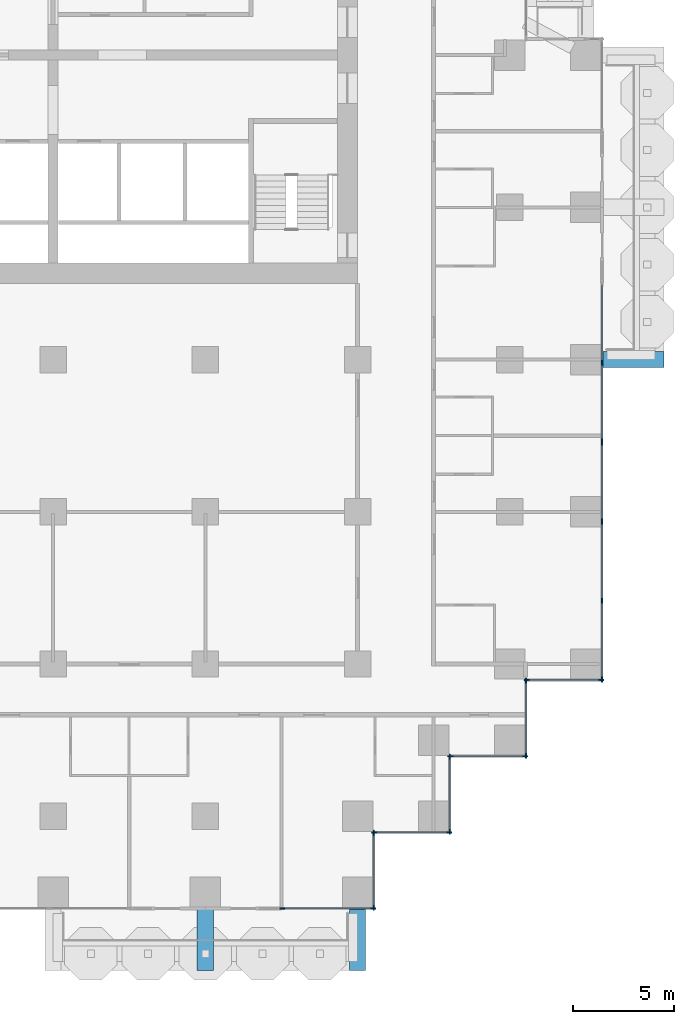
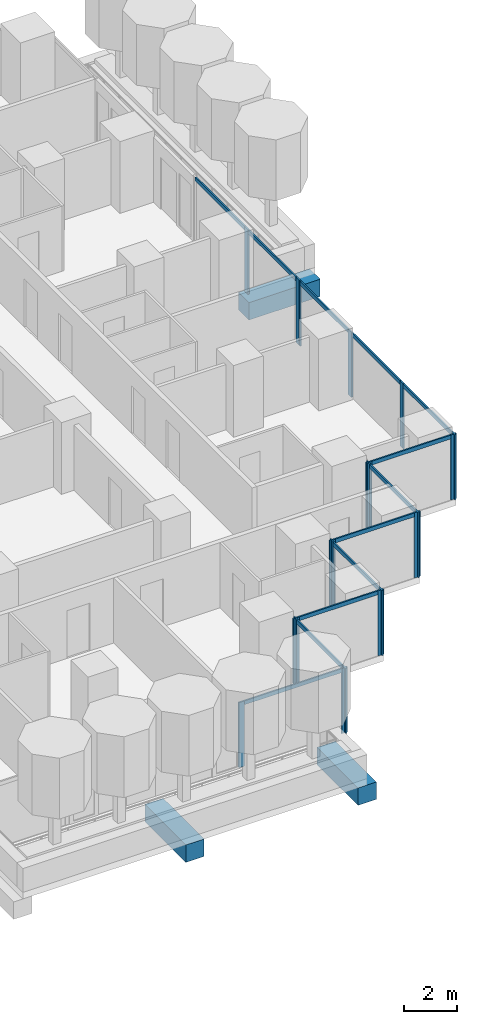
# One storey, part 4 of 19: 32 members, 3 beams, 9 elements without a shape of their own.
"""IFC4 building model written with IfcOpenShell, lengths in metres."""

from ifc_helpers import new_model, si_unit, direction, frame, origin, origin_2d, place, context, subcontext, project, spatial, rectangle, extrude, material, material_profile, profile_set, type_object, element, aggregate, save


model = new_model("IFC4")

# Units and contexts
model_context = context("Model", 3, precision=1e-05, world=origin(), true_north=direction((0.0, 1.0)))
body_context = subcontext(model_context, "Body", "Model", "MODEL_VIEW")
ifc_project = project(units=[si_unit("LENGTHUNIT", "METRE"), si_unit("AREAUNIT", "SQUARE_METRE"), si_unit("VOLUMEUNIT", "CUBIC_METRE"), si_unit("PLANEANGLEUNIT", "RADIAN"), si_unit("MASSUNIT", "GRAM", prefix="KILO")], contexts=[model_context])

# Site, building, storey
site_placement = place(None, origin())
site = spatial("IfcSite", under=ifc_project, at=site_placement, CompositionType="ELEMENT")
building_placement = place(site_placement, origin())
building = spatial("IfcBuilding", under=site, at=building_placement, Name="Pilkhan Gate Tower", CompositionType="ELEMENT")
storey_placement = place(building_placement, frame((0.0, 0.0, 79.10009765625)))
storey = spatial("IfcBuildingStorey", under=building, at=storey_placement, Name="L18", CompositionType="ELEMENT", Elevation=79.10009765625)

# Beams
ifc_material_1 = material(Name="Concrete C50/60", Category="concrete")
ifc_material_profile_1 = material_profile(ifc_material_1, rectangle(XDim=0.800048828125, YDim=0.800048828125, at=origin_2d()), Name="RC 800x800")
ifc_profile_set_1 = profile_set([ifc_material_profile_1], Name="Concrete C50/60")
beam_type = type_object("IfcBeamType", Name="Cantilever beam CB2 RC 800x800 C50/60", PredefinedType="BEAM", material=ifc_profile_set_1)
for number, where, z_axis, x_axis, name in (
    (1, (82.5, 40.5, -0.7001953125), (0.0, -1.0, 0.0), (1.0, 0.0, 0.0), "Balcony beam S.2 L18"),
    (2, (90.0, 40.5, -0.7001953125), (0.0, -1.0, 0.0), (1.0, 0.0, 0.0), "Balcony beam S.3 L18"),
    (3, (102.0, 67.5, -0.7001953125), (1.0, 0.0, 0.0), (0.0, 1.0, 0.0), "Balcony beam E.1 L18"),
):
    element("IfcBeam", number, at=place(storey_placement, frame(where, z_axis=z_axis, x_axis=x_axis)), inside=storey, type_object=beam_type, Name=name, PredefinedType="BEAM", context=body_context, shape_type="SweptSolid", body=[
        extrude(rectangle(XDim=0.800048828125, YDim=0.800048828125, at=origin_2d()), origin(), (0.0, 0.0, 1.0), 3.10009765625),
    ])

# Curtain wall, members
ifc_material_2 = material(Name="Pale anodised aluminium, clear low-iron double glazing", Category="aluminium")
curtain_wall_type = type_object("IfcCurtainWallType", Name="Hotel unitised curtain wall CW-H", PredefinedType="USERDEFINED", material=ifc_material_2)
curtain_wall_1_placement = place(storey_placement, origin())
curtain_wall_1 = element("IfcCurtainWall", 4, at=curtain_wall_1_placement, inside=storey, type_object=curtain_wall_type, Name="Hotel unitised curtain wall CW-H L18 E", ObjectType="UNITISED CURTAIN WALL", PredefinedType="USERDEFINED")
ifc_material_3 = material(Name="Pale anodised aluminium", Category="aluminium")
ifc_material_profile_2 = material_profile(ifc_material_3, rectangle(XDim=0.06494140625, YDim=0.25, at=origin_2d()), Name="Mullion 250x65")
ifc_profile_set_2 = profile_set([ifc_material_profile_2], Name="Pale anodised aluminium")
member_type_1 = type_object("IfcMemberType", Name="Mullion CW-H 250x65", PredefinedType="MULLION", material=ifc_profile_set_2)
member_1_placement = place(storey_placement, frame((102.044921875, 51.737548828125, 0.0), z_axis=(0.0, 0.0, 1.0), x_axis=(-1.0, 0.0, 0.0)))
member_1 = element("IfcMember", 5, at=member_1_placement, type_object=member_type_1, Name="CW-H mullion 1", PredefinedType="MULLION", context=body_context, shape_type="SweptSolid", body=[
    extrude(rectangle(XDim=0.06494140625, YDim=0.25, at=origin_2d()), origin(), (0.0, 0.0, 1.0), 3.0),
])
member_2_placement = place(storey_placement, frame((102.044921875, 55.614013671875, 0.0), z_axis=(0.0, 0.0, 1.0), x_axis=(-1.0, 0.0, 0.0)))
member_2 = element("IfcMember", 6, at=member_2_placement, type_object=member_type_1, Name="CW-H mullion 2", PredefinedType="MULLION", context=body_context, shape_type="SweptSolid", body=[
    extrude(rectangle(XDim=0.06494140625, YDim=0.25, at=origin_2d()), origin(), (0.0, 0.0, 1.0), 3.0),
])
member_3_placement = place(storey_placement, frame((102.044921875, 59.52294921875, 0.0), z_axis=(0.0, 0.0, 1.0), x_axis=(-1.0, 0.0, 0.0)))
member_3 = element("IfcMember", 7, at=member_3_placement, type_object=member_type_1, Name="CW-H mullion 3", PredefinedType="MULLION", context=body_context, shape_type="SweptSolid", body=[
    extrude(rectangle(XDim=0.06494140625, YDim=0.25, at=origin_2d()), origin(), (0.0, 0.0, 1.0), 3.0),
])
member_4_placement = place(storey_placement, frame((102.044921875, 63.3994140625, 0.0), z_axis=(0.0, 0.0, 1.0), x_axis=(-1.0, 0.0, 0.0)))
member_4 = element("IfcMember", 8, at=member_4_placement, type_object=member_type_1, Name="CW-H mullion 4", PredefinedType="MULLION", context=body_context, shape_type="SweptSolid", body=[
    extrude(rectangle(XDim=0.06494140625, YDim=0.25, at=origin_2d()), origin(), (0.0, 0.0, 1.0), 3.0),
])

curtain_wall_2_placement = place(storey_placement, origin())
curtain_wall_2 = element("IfcCurtainWall", 9, at=curtain_wall_2_placement, inside=storey, type_object=curtain_wall_type, Name="Hotel unitised curtain wall CW-H L18 E", ObjectType="UNITISED CURTAIN WALL", PredefinedType="USERDEFINED")
member_5_placement = place(storey_placement, frame((102.044921875, 63.464599609375, 0.0), z_axis=(0.0, 0.0, 1.0), x_axis=(-1.0, 0.0, 0.0)))
member_5 = element("IfcMember", 10, at=member_5_placement, type_object=member_type_1, Name="CW-H mullion 1", PredefinedType="MULLION", context=body_context, shape_type="SweptSolid", body=[
    extrude(rectangle(XDim=0.06494140625, YDim=0.25, at=origin_2d()), origin(), (0.0, 0.0, 1.0), 3.0),
])
member_6_placement = place(storey_placement, frame((102.044921875, 67.341064453125, 0.0), z_axis=(0.0, 0.0, 1.0), x_axis=(-1.0, 0.0, 0.0)))
member_6 = element("IfcMember", 11, at=member_6_placement, type_object=member_type_1, Name="CW-H mullion 2", PredefinedType="MULLION", context=body_context, shape_type="SweptSolid", body=[
    extrude(rectangle(XDim=0.06494140625, YDim=0.25, at=origin_2d()), origin(), (0.0, 0.0, 1.0), 3.0),
])

curtain_wall_3_placement = place(storey_placement, origin())
curtain_wall_3 = element("IfcCurtainWall", 12, at=curtain_wall_3_placement, inside=storey, type_object=curtain_wall_type, Name="Hotel unitised curtain wall CW-H L18 S", ObjectType="UNITISED CURTAIN WALL", PredefinedType="USERDEFINED")
member_7_placement = place(storey_placement, frame((86.282470703125, 40.455078125, 0.0), z_axis=(0.0, 0.0, 1.0), x_axis=(0.0, 1.0, 0.0)))
member_7 = element("IfcMember", 13, at=member_7_placement, type_object=member_type_1, Name="CW-H mullion 1", PredefinedType="MULLION", context=body_context, shape_type="SweptSolid", body=[
    extrude(rectangle(XDim=0.06494140625, YDim=0.25, at=origin_2d()), origin(), (0.0, 0.0, 1.0), 3.0),
])
member_8_placement = place(storey_placement, frame((90.762451171875, 40.455078125, 0.0), z_axis=(0.0, 0.0, 1.0), x_axis=(0.0, 1.0, 0.0)))
member_8 = element("IfcMember", 14, at=member_8_placement, type_object=member_type_1, Name="CW-H mullion 2", PredefinedType="MULLION", context=body_context, shape_type="SweptSolid", body=[
    extrude(rectangle(XDim=0.06494140625, YDim=0.25, at=origin_2d()), origin(), (0.0, 0.0, 1.0), 3.0),
])

curtain_wall_4_placement = place(storey_placement, origin())
curtain_wall_4 = element("IfcCurtainWall", 15, at=curtain_wall_4_placement, inside=storey, type_object=curtain_wall_type, Name="Hotel unitised curtain wall CW-H L18 E", ObjectType="UNITISED CURTAIN WALL", PredefinedType="USERDEFINED")
member_9_placement = place(storey_placement, frame((90.794921875, 40.487548828125, 0.0), z_axis=(0.0, 0.0, 1.0), x_axis=(-1.0, 0.0, 0.0)))
member_9 = element("IfcMember", 16, at=member_9_placement, type_object=member_type_1, Name="CW-H mullion 1", PredefinedType="MULLION", context=body_context, shape_type="SweptSolid", body=[
    extrude(rectangle(XDim=0.06494140625, YDim=0.25, at=origin_2d()), origin(), (0.0, 0.0, 1.0), 3.0),
])
member_10_placement = place(storey_placement, frame((90.794921875, 44.172607421875, 0.0), z_axis=(0.0, 0.0, 1.0), x_axis=(-1.0, 0.0, 0.0)))
member_10 = element("IfcMember", 17, at=member_10_placement, type_object=member_type_1, Name="CW-H mullion 2", PredefinedType="MULLION", context=body_context, shape_type="SweptSolid", body=[
    extrude(rectangle(XDim=0.06494140625, YDim=0.25, at=origin_2d()), origin(), (0.0, 0.0, 1.0), 3.0),
])

curtain_wall_5_placement = place(storey_placement, origin())
curtain_wall_5 = element("IfcCurtainWall", 18, at=curtain_wall_5_placement, inside=storey, type_object=curtain_wall_type, Name="Hotel unitised curtain wall CW-H L18 S", ObjectType="UNITISED CURTAIN WALL", PredefinedType="USERDEFINED")
member_11_placement = place(storey_placement, frame((90.827392578125, 44.205078125, 0.0), z_axis=(0.0, 0.0, 1.0), x_axis=(0.0, 1.0, 0.0)))
member_11 = element("IfcMember", 19, at=member_11_placement, type_object=member_type_1, Name="CW-H mullion 1", PredefinedType="MULLION", context=body_context, shape_type="SweptSolid", body=[
    extrude(rectangle(XDim=0.06494140625, YDim=0.25, at=origin_2d()), origin(), (0.0, 0.0, 1.0), 3.0),
])
member_12_placement = place(storey_placement, frame((94.512451171875, 44.205078125, 0.0), z_axis=(0.0, 0.0, 1.0), x_axis=(0.0, 1.0, 0.0)))
member_12 = element("IfcMember", 20, at=member_12_placement, type_object=member_type_1, Name="CW-H mullion 2", PredefinedType="MULLION", context=body_context, shape_type="SweptSolid", body=[
    extrude(rectangle(XDim=0.06494140625, YDim=0.25, at=origin_2d()), origin(), (0.0, 0.0, 1.0), 3.0),
])

curtain_wall_6_placement = place(storey_placement, origin())
curtain_wall_6 = element("IfcCurtainWall", 21, at=curtain_wall_6_placement, inside=storey, type_object=curtain_wall_type, Name="Hotel unitised curtain wall CW-H L18 E", ObjectType="UNITISED CURTAIN WALL", PredefinedType="USERDEFINED")
member_13_placement = place(storey_placement, frame((94.544921875, 44.237548828125, 0.0), z_axis=(0.0, 0.0, 1.0), x_axis=(-1.0, 0.0, 0.0)))
member_13 = element("IfcMember", 22, at=member_13_placement, type_object=member_type_1, Name="CW-H mullion 1", PredefinedType="MULLION", context=body_context, shape_type="SweptSolid", body=[
    extrude(rectangle(XDim=0.06494140625, YDim=0.25, at=origin_2d()), origin(), (0.0, 0.0, 1.0), 3.0),
])
member_14_placement = place(storey_placement, frame((94.544921875, 47.922607421875, 0.0), z_axis=(0.0, 0.0, 1.0), x_axis=(-1.0, 0.0, 0.0)))
member_14 = element("IfcMember", 23, at=member_14_placement, type_object=member_type_1, Name="CW-H mullion 2", PredefinedType="MULLION", context=body_context, shape_type="SweptSolid", body=[
    extrude(rectangle(XDim=0.06494140625, YDim=0.25, at=origin_2d()), origin(), (0.0, 0.0, 1.0), 3.0),
])

curtain_wall_7_placement = place(storey_placement, origin())
curtain_wall_7 = element("IfcCurtainWall", 24, at=curtain_wall_7_placement, inside=storey, type_object=curtain_wall_type, Name="Hotel unitised curtain wall CW-H L18 S", ObjectType="UNITISED CURTAIN WALL", PredefinedType="USERDEFINED")
member_15_placement = place(storey_placement, frame((94.577392578125, 47.955078125, 0.0), z_axis=(0.0, 0.0, 1.0), x_axis=(0.0, 1.0, 0.0)))
member_15 = element("IfcMember", 25, at=member_15_placement, type_object=member_type_1, Name="CW-H mullion 1", PredefinedType="MULLION", context=body_context, shape_type="SweptSolid", body=[
    extrude(rectangle(XDim=0.06494140625, YDim=0.25, at=origin_2d()), origin(), (0.0, 0.0, 1.0), 3.0),
])
member_16_placement = place(storey_placement, frame((98.262451171875, 47.955078125, 0.0), z_axis=(0.0, 0.0, 1.0), x_axis=(0.0, 1.0, 0.0)))
member_16 = element("IfcMember", 26, at=member_16_placement, type_object=member_type_1, Name="CW-H mullion 2", PredefinedType="MULLION", context=body_context, shape_type="SweptSolid", body=[
    extrude(rectangle(XDim=0.06494140625, YDim=0.25, at=origin_2d()), origin(), (0.0, 0.0, 1.0), 3.0),
])

curtain_wall_8_placement = place(storey_placement, origin())
curtain_wall_8 = element("IfcCurtainWall", 27, at=curtain_wall_8_placement, inside=storey, type_object=curtain_wall_type, Name="Hotel unitised curtain wall CW-H L18 E", ObjectType="UNITISED CURTAIN WALL", PredefinedType="USERDEFINED")
member_17_placement = place(storey_placement, frame((98.294921875, 47.987548828125, 0.0), z_axis=(0.0, 0.0, 1.0), x_axis=(-1.0, 0.0, 0.0)))
member_17 = element("IfcMember", 28, at=member_17_placement, type_object=member_type_1, Name="CW-H mullion 1", PredefinedType="MULLION", context=body_context, shape_type="SweptSolid", body=[
    extrude(rectangle(XDim=0.06494140625, YDim=0.25, at=origin_2d()), origin(), (0.0, 0.0, 1.0), 3.0),
])
member_18_placement = place(storey_placement, frame((98.294921875, 51.672607421875, 0.0), z_axis=(0.0, 0.0, 1.0), x_axis=(-1.0, 0.0, 0.0)))
member_18 = element("IfcMember", 29, at=member_18_placement, type_object=member_type_1, Name="CW-H mullion 2", PredefinedType="MULLION", context=body_context, shape_type="SweptSolid", body=[
    extrude(rectangle(XDim=0.06494140625, YDim=0.25, at=origin_2d()), origin(), (0.0, 0.0, 1.0), 3.0),
])

curtain_wall_9_placement = place(storey_placement, origin())
curtain_wall_9 = element("IfcCurtainWall", 30, at=curtain_wall_9_placement, inside=storey, type_object=curtain_wall_type, Name="Hotel unitised curtain wall CW-H L18 S", ObjectType="UNITISED CURTAIN WALL", PredefinedType="USERDEFINED")
member_19_placement = place(storey_placement, frame((98.327392578125, 51.705078125, 0.0), z_axis=(0.0, 0.0, 1.0), x_axis=(0.0, 1.0, 0.0)))
member_19 = element("IfcMember", 31, at=member_19_placement, type_object=member_type_1, Name="CW-H mullion 1", PredefinedType="MULLION", context=body_context, shape_type="SweptSolid", body=[
    extrude(rectangle(XDim=0.06494140625, YDim=0.25, at=origin_2d()), origin(), (0.0, 0.0, 1.0), 3.0),
])
member_20_placement = place(storey_placement, frame((102.012451171875, 51.705078125, 0.0), z_axis=(0.0, 0.0, 1.0), x_axis=(0.0, 1.0, 0.0)))
member_20 = element("IfcMember", 32, at=member_20_placement, type_object=member_type_1, Name="CW-H mullion 2", PredefinedType="MULLION", context=body_context, shape_type="SweptSolid", body=[
    extrude(rectangle(XDim=0.06494140625, YDim=0.25, at=origin_2d()), origin(), (0.0, 0.0, 1.0), 3.0),
])

# Member
ifc_material_profile_3 = material_profile(ifc_material_3, rectangle(XDim=0.06494140625, YDim=0.179931640625, at=origin_2d()), Name="Transom 180x65")
ifc_profile_set_3 = profile_set([ifc_material_profile_3], Name="Pale anodised aluminium")
member_type_2 = type_object("IfcMemberType", Name="Transom CW-H 180x65", PredefinedType="USERDEFINED", material=ifc_profile_set_3)
member_21_placement = place(storey_placement, frame((102.044921875, 51.77001953125, 2.909912109375), z_axis=(0.0, 1.0, 0.0), x_axis=(-1.0, 0.0, 0.0)))
member_21 = element("IfcMember", 33, at=member_21_placement, type_object=member_type_2, Name="CW-H transom 1", ObjectType="TRANSOM", PredefinedType="USERDEFINED", context=body_context, shape_type="SweptSolid", body=[
    extrude(rectangle(XDim=0.06494140625, YDim=0.179931640625, at=origin_2d()), origin(), (0.0, 0.0, 1.0), 3.8115234375),
])

member_22_placement = place(storey_placement, frame((102.044921875, 55.646484375, 2.909912109375), z_axis=(0.0, 1.0, 0.0), x_axis=(-1.0, 0.0, 0.0)))
member_22 = element("IfcMember", 34, at=member_22_placement, type_object=member_type_2, Name="CW-H transom 2", ObjectType="TRANSOM", PredefinedType="USERDEFINED", context=body_context, shape_type="SweptSolid", body=[
    extrude(rectangle(XDim=0.06494140625, YDim=0.179931640625, at=origin_2d()), origin(), (0.0, 0.0, 1.0), 3.843994140625),
])

member_23_placement = place(storey_placement, frame((102.044921875, 59.555419921875, 2.909912109375), z_axis=(0.0, 1.0, 0.0), x_axis=(-1.0, 0.0, 0.0)))
member_23 = element("IfcMember", 35, at=member_23_placement, type_object=member_type_2, Name="CW-H transom 3", ObjectType="TRANSOM", PredefinedType="USERDEFINED", context=body_context, shape_type="SweptSolid", body=[
    extrude(rectangle(XDim=0.06494140625, YDim=0.179931640625, at=origin_2d()), origin(), (0.0, 0.0, 1.0), 3.8115234375),
])

aggregate(curtain_wall_1, [member_1, member_2, member_3, member_4, member_21, member_22, member_23])

member_24_placement = place(storey_placement, frame((102.044921875, 63.4970703125, 2.909912109375), z_axis=(0.0, 1.0, 0.0), x_axis=(-1.0, 0.0, 0.0)))
member_24 = element("IfcMember", 36, at=member_24_placement, type_object=member_type_2, Name="CW-H transom 1", ObjectType="TRANSOM", PredefinedType="USERDEFINED", context=body_context, shape_type="SweptSolid", body=[
    extrude(rectangle(XDim=0.06494140625, YDim=0.179931640625, at=origin_2d()), origin(), (0.0, 0.0, 1.0), 3.8115234375),
])

member_25_placement = place(storey_placement, frame((102.044921875, 67.37353515625, 2.909912109375), z_axis=(0.0, 1.0, 0.0), x_axis=(-1.0, 0.0, 0.0)))
member_25 = element("IfcMember", 37, at=member_25_placement, type_object=member_type_2, Name="CW-H transom 2", ObjectType="TRANSOM", PredefinedType="USERDEFINED", context=body_context, shape_type="SweptSolid", body=[
    extrude(rectangle(XDim=0.06494140625, YDim=0.179931640625, at=origin_2d()), origin(), (0.0, 0.0, 1.0), 3.8115234375),
])

aggregate(curtain_wall_2, [member_5, member_6, member_24, member_25])

member_26_placement = place(storey_placement, frame((86.31494140625, 40.455078125, 2.909912109375), z_axis=(1.0, 0.0, 0.0), x_axis=(0.0, 1.0, 0.0)))
member_26 = element("IfcMember", 38, at=member_26_placement, type_object=member_type_2, Name="CW-H transom 1", ObjectType="TRANSOM", PredefinedType="USERDEFINED", context=body_context, shape_type="SweptSolid", body=[
    extrude(rectangle(XDim=0.06494140625, YDim=0.179931640625, at=origin_2d()), origin(), (0.0, 0.0, 1.0), 4.4150390625),
])

aggregate(curtain_wall_3, [member_7, member_8, member_26])

member_27_placement = place(storey_placement, frame((90.794921875, 40.52001953125, 2.909912109375), z_axis=(0.0, 1.0, 0.0), x_axis=(-1.0, 0.0, 0.0)))
member_27 = element("IfcMember", 39, at=member_27_placement, type_object=member_type_2, Name="CW-H transom 1", ObjectType="TRANSOM", PredefinedType="USERDEFINED", context=body_context, shape_type="SweptSolid", body=[
    extrude(rectangle(XDim=0.06494140625, YDim=0.179931640625, at=origin_2d()), origin(), (0.0, 0.0, 1.0), 3.619873046875),
])

aggregate(curtain_wall_4, [member_9, member_10, member_27])

member_28_placement = place(storey_placement, frame((90.860107421875, 44.205078125, 2.909912109375), z_axis=(1.0, 0.0, 0.0), x_axis=(0.0, 1.0, 0.0)))
member_28 = element("IfcMember", 40, at=member_28_placement, type_object=member_type_2, Name="CW-H transom 1", ObjectType="TRANSOM", PredefinedType="USERDEFINED", context=body_context, shape_type="SweptSolid", body=[
    extrude(rectangle(XDim=0.06494140625, YDim=0.179931640625, at=origin_2d()), origin(), (0.0, 0.0, 1.0), 3.619873046875),
])

aggregate(curtain_wall_5, [member_11, member_12, member_28])

member_29_placement = place(storey_placement, frame((94.544921875, 44.27001953125, 2.909912109375), z_axis=(0.0, 1.0, 0.0), x_axis=(-1.0, 0.0, 0.0)))
member_29 = element("IfcMember", 41, at=member_29_placement, type_object=member_type_2, Name="CW-H transom 1", ObjectType="TRANSOM", PredefinedType="USERDEFINED", context=body_context, shape_type="SweptSolid", body=[
    extrude(rectangle(XDim=0.06494140625, YDim=0.179931640625, at=origin_2d()), origin(), (0.0, 0.0, 1.0), 3.619873046875),
])

aggregate(curtain_wall_6, [member_13, member_14, member_29])

member_30_placement = place(storey_placement, frame((94.610107421875, 47.955078125, 2.909912109375), z_axis=(1.0, 0.0, 0.0), x_axis=(0.0, 1.0, 0.0)))
member_30 = element("IfcMember", 42, at=member_30_placement, type_object=member_type_2, Name="CW-H transom 1", ObjectType="TRANSOM", PredefinedType="USERDEFINED", context=body_context, shape_type="SweptSolid", body=[
    extrude(rectangle(XDim=0.06494140625, YDim=0.179931640625, at=origin_2d()), origin(), (0.0, 0.0, 1.0), 3.619873046875),
])

aggregate(curtain_wall_7, [member_15, member_16, member_30])

member_31_placement = place(storey_placement, frame((98.294921875, 48.02001953125, 2.909912109375), z_axis=(0.0, 1.0, 0.0), x_axis=(-1.0, 0.0, 0.0)))
member_31 = element("IfcMember", 43, at=member_31_placement, type_object=member_type_2, Name="CW-H transom 1", ObjectType="TRANSOM", PredefinedType="USERDEFINED", context=body_context, shape_type="SweptSolid", body=[
    extrude(rectangle(XDim=0.06494140625, YDim=0.179931640625, at=origin_2d()), origin(), (0.0, 0.0, 1.0), 3.619873046875),
])

aggregate(curtain_wall_8, [member_17, member_18, member_31])

member_32_placement = place(storey_placement, frame((98.360107421875, 51.705078125, 2.909912109375), z_axis=(1.0, 0.0, 0.0), x_axis=(0.0, 1.0, 0.0)))
member_32 = element("IfcMember", 44, at=member_32_placement, type_object=member_type_2, Name="CW-H transom 1", ObjectType="TRANSOM", PredefinedType="USERDEFINED", context=body_context, shape_type="SweptSolid", body=[
    extrude(rectangle(XDim=0.06494140625, YDim=0.179931640625, at=origin_2d()), origin(), (0.0, 0.0, 1.0), 3.619873046875),
])

aggregate(curtain_wall_9, [member_19, member_20, member_32])

save(model, "model.ifc")
